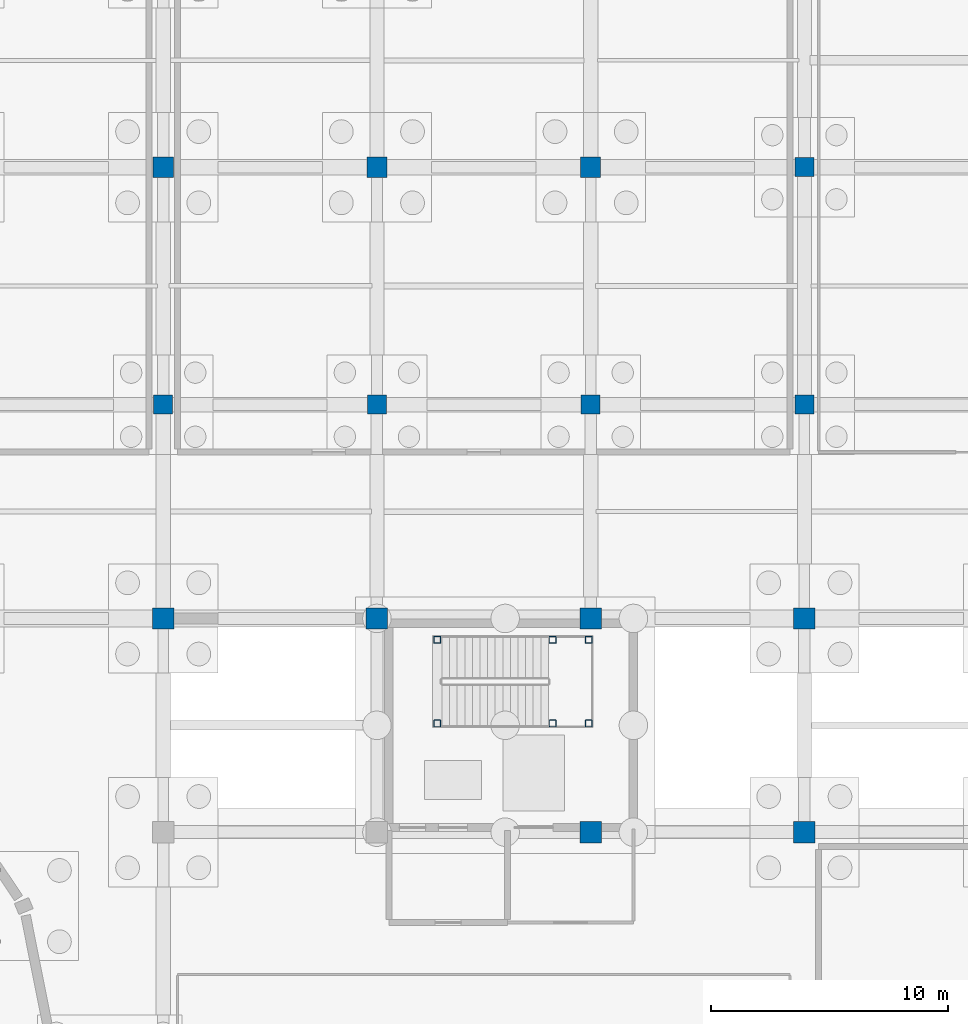
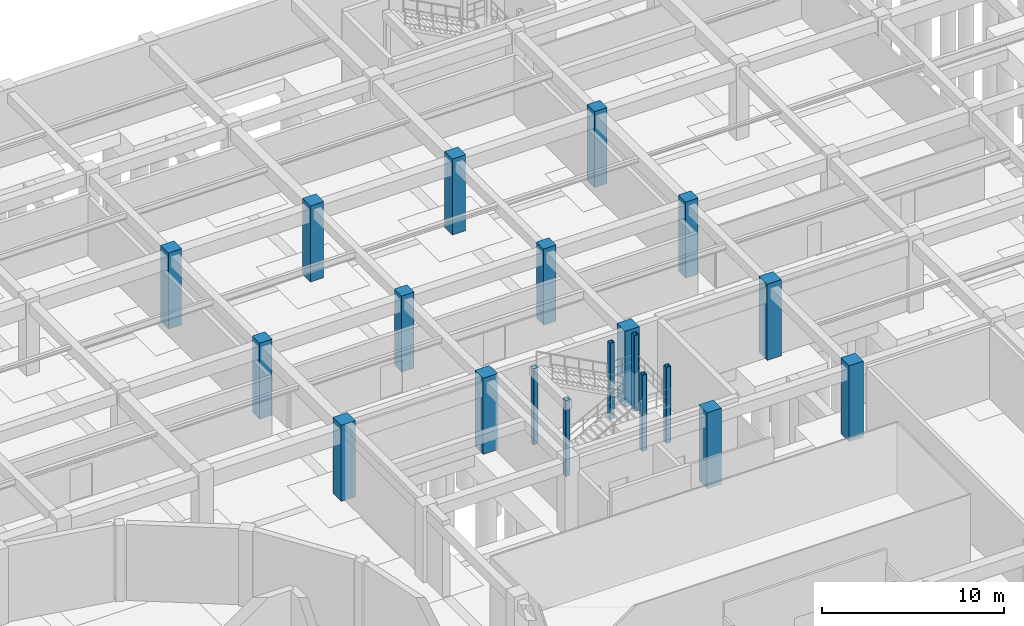
# One storey, part 22 of 62: 20 columns.
"""IFC4 building model written with IfcOpenShell, lengths in metres."""

from ifc_helpers import new_model, si_unit, direction, frame, origin, origin_2d, place, context, subcontext, project, spatial, rectangle, hollow_rectangle, extrude, material, material_profile, profile_set, type_object, element, save


model = new_model("IFC4")

# Units and contexts
model_context = context("Model", 3, precision=1e-05, world=origin(), true_north=direction((0.0, 1.0)))
body_context = subcontext(model_context, "Body", "Model", "MODEL_VIEW")
ifc_project = project(units=[si_unit("LENGTHUNIT", "METRE"), si_unit("AREAUNIT", "SQUARE_METRE"), si_unit("VOLUMEUNIT", "CUBIC_METRE"), si_unit("PLANEANGLEUNIT", "RADIAN"), si_unit("MASSUNIT", "GRAM", prefix="KILO")], contexts=[model_context])

# Site, building, storey
site_placement = place(None, origin())
site = spatial("IfcSite", under=ifc_project, at=site_placement, CompositionType="ELEMENT")
building_placement = place(site_placement, origin())
building = spatial("IfcBuilding", under=site, at=building_placement, Name="Miravela Opera House", CompositionType="ELEMENT")
storey_placement = place(building_placement, frame((0.0, 0.0, -5.10009765625)))
storey = spatial("IfcBuildingStorey", under=building, at=storey_placement, Name="B01", CompositionType="ELEMENT", Elevation=-5.10009765625)

# Columns
ifc_material_1 = material(Name="Hollow structural steel ASTM A500 Gr. C", Category="steel")
ifc_material_profile_1 = material_profile(ifc_material_1, hollow_rectangle(XDim=0.300048828125, YDim=0.300048828125, WallThickness=0.01611328125, InnerFilletRadius=0.01611328125, OuterFilletRadius=0.031982421875, at=origin_2d()), Name="HSS300X300X16")
ifc_profile_set_1 = profile_set([ifc_material_profile_1])
column_type_1 = type_object("IfcColumnType", Name="STR-COL-HSS300", PredefinedType="COLUMN", material=ifc_profile_set_1)
for number, where, z_axis, x_axis, name in (
    (1, (110.5400390625, 70.580078125, 0.0), (0.0, 0.0, 1.0), (1.0, 0.0, 0.0), "Stair K3 Landing Support Column 1 (B01)"),
    (2, (110.5400390625, 74.10009765625, 0.0), (0.0, 0.0, 1.0), (1.0, 0.0, 0.0), "Stair K3 Landing Support Column 2 (B01)"),
    (3, (115.39990234375, 70.580078125, 0.0), (0.0, 0.0, 1.0), (1.0, 0.0, 0.0), "Stair K3 Landing Support Column 3 (B01)"),
    (4, (115.39990234375, 74.10009765625, 0.0), (0.0, 0.0, 1.0), (1.0, 0.0, 0.0), "Stair K3 Landing Support Column 4 (B01)"),
    (5, (116.919921875, 70.580078125, 0.0), (0.0, 0.0, 1.0), (1.0, 0.0, 0.0), "Stair K3 Landing Support Column 5 (B01)"),
    (6, (116.919921875, 74.10009765625, 0.0), (0.0, 0.0, 1.0), (1.0, 0.0, 0.0), "Stair K3 Landing Support Column 6 (B01)"),
):
    element("IfcColumn", number, at=place(storey_placement, frame(where, z_axis=z_axis, x_axis=x_axis)), inside=storey, type_object=column_type_1, Name=name, PredefinedType="COLUMN", context=body_context, shape_type="SweptSolid", body=[
        extrude(hollow_rectangle(XDim=0.300048828125, YDim=0.300048828125, WallThickness=0.01611328125, InnerFilletRadius=0.01611328125, OuterFilletRadius=0.031982421875, at=origin_2d()), origin(), (0.0, 0.0, 1.0), 5.10009765625),
    ])
ifc_material_2 = material(Name="Concrete C40/50", Category="concrete")
ifc_material_profile_2 = material_profile(ifc_material_2, rectangle(XDim=0.800048828125, YDim=0.800048828125, at=origin_2d()), Name="RC-COL-800X800")
ifc_profile_set_2 = profile_set([ifc_material_profile_2])
column_type_2 = type_object("IfcColumnType", Name="STR-COL-RC800", PredefinedType="COLUMN", material=ifc_profile_set_2)
for number, where, z_axis, x_axis, name in (
    (7, (99.0, 84.0, 0.0), (0.0, 0.0, 1.0), (1.0, 0.0, 0.0), "Column C-12J (B01)"),
    (8, (108.0, 84.0, 0.0), (0.0, 0.0, 1.0), (1.0, 0.0, 0.0), "Column C-13J (B01)"),
    (9, (117.0, 84.0, 0.0), (0.0, 0.0, 1.0), (1.0, 0.0, 0.0), "Column C-14J (B01)"),
    (10, (126.0, 84.0, 0.0), (0.0, 0.0, 1.0), (1.0, 0.0, 0.0), "Column C-15J (B01)"),
    (11, (126.0, 94.0, 0.0), (0.0, 0.0, 1.0), (1.0, 0.0, 0.0), "Column C-15K (B01)"),
):
    element("IfcColumn", number, at=place(storey_placement, frame(where, z_axis=z_axis, x_axis=x_axis)), inside=storey, type_object=column_type_2, Name=name, PredefinedType="COLUMN", context=body_context, shape_type="SweptSolid", body=[
        extrude(rectangle(XDim=0.800048828125, YDim=0.800048828125, at=origin_2d()), origin(), (0.0, 0.0, 1.0), 5.10009765625),
    ])
ifc_material_profile_3 = material_profile(ifc_material_2, rectangle(XDim=0.85009765625, YDim=0.85009765625, at=origin_2d()), Name="RC-COL-850X850")
ifc_profile_set_3 = profile_set([ifc_material_profile_3])
column_type_3 = type_object("IfcColumnType", Name="STR-COL-RC850", PredefinedType="COLUMN", material=ifc_profile_set_3)
for number, where, z_axis, x_axis, name in (
    (12, (99.0, 94.0, 0.0), (0.0, 0.0, 1.0), (1.0, 0.0, 0.0), "Column C-12K (B01)"),
    (13, (108.0, 94.0, 0.0), (0.0, 0.0, 1.0), (1.0, 0.0, 0.0), "Column C-13K (B01)"),
    (14, (117.0, 94.0, 0.0), (0.0, 0.0, 1.0), (1.0, 0.0, 0.0), "Column C-14K (B01)"),
):
    element("IfcColumn", number, at=place(storey_placement, frame(where, z_axis=z_axis, x_axis=x_axis)), inside=storey, type_object=column_type_3, Name=name, PredefinedType="COLUMN", context=body_context, shape_type="SweptSolid", body=[
        extrude(rectangle(XDim=0.85009765625, YDim=0.85009765625, at=origin_2d()), origin(), (0.0, 0.0, 1.0), 5.10009765625),
    ])
ifc_material_profile_4 = material_profile(ifc_material_2, rectangle(XDim=0.89990234375, YDim=0.89990234375, at=origin_2d()), Name="RC-COL-900X900")
ifc_profile_set_4 = profile_set([ifc_material_profile_4])
column_type_4 = type_object("IfcColumnType", Name="STR-COL-RC900", PredefinedType="COLUMN", material=ifc_profile_set_4)
for number, where, z_axis, x_axis, name in (
    (15, (99.0, 75.0, 0.0), (0.0, 0.0, 1.0), (1.0, 0.0, 0.0), "Column C-12I (B01)"),
    (16, (108.0, 75.0, 0.0), (0.0, 0.0, 1.0), (1.0, 0.0, 0.0), "Column C-13I (B01)"),
    (17, (117.0, 66.0, 0.0), (0.0, 0.0, 1.0), (1.0, 0.0, 0.0), "Column C-14H (B01)"),
    (18, (117.0, 75.0, 0.0), (0.0, 0.0, 1.0), (1.0, 0.0, 0.0), "Column C-14I (B01)"),
    (19, (126.0, 66.0, 0.0), (0.0, 0.0, 1.0), (1.0, 0.0, 0.0), "Column C-15H (B01)"),
    (20, (126.0, 75.0, 0.0), (0.0, 0.0, 1.0), (1.0, 0.0, 0.0), "Column C-15I (B01)"),
):
    element("IfcColumn", number, at=place(storey_placement, frame(where, z_axis=z_axis, x_axis=x_axis)), inside=storey, type_object=column_type_4, Name=name, PredefinedType="COLUMN", context=body_context, shape_type="SweptSolid", body=[
        extrude(rectangle(XDim=0.89990234375, YDim=0.89990234375, at=origin_2d()), origin(), (0.0, 0.0, 1.0), 5.10009765625),
    ])

save(model, "model.ifc")
